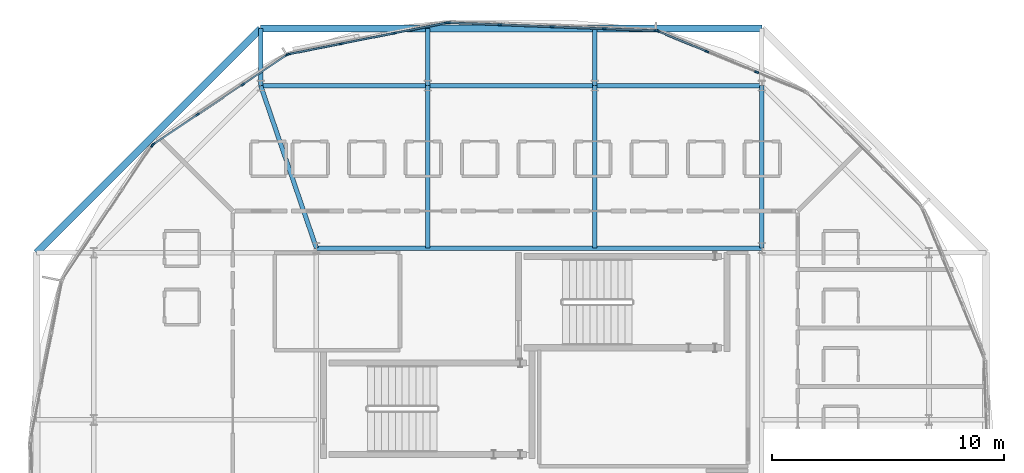
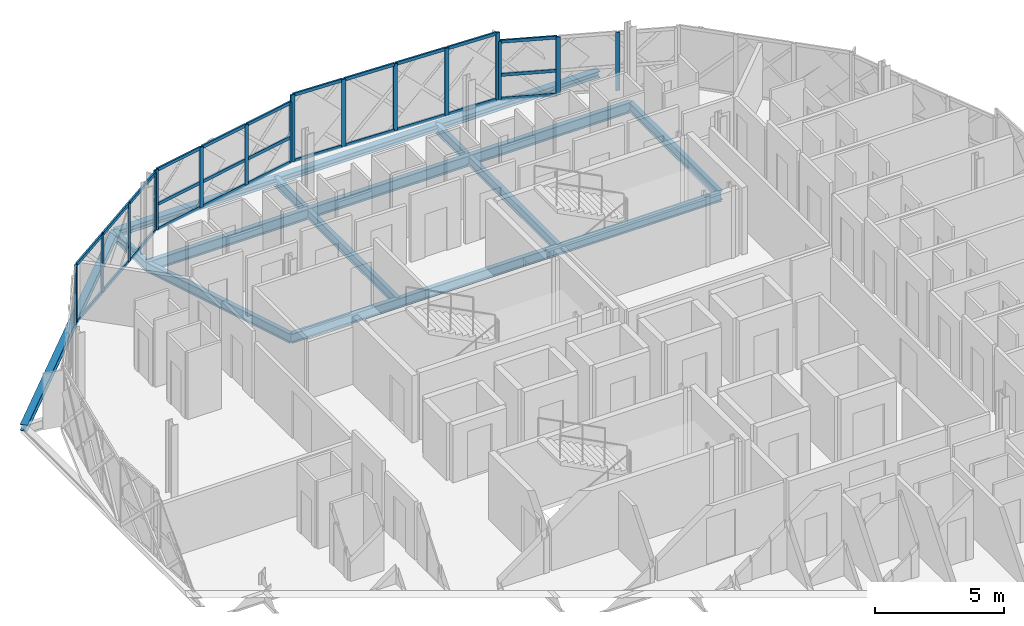
# One storey, part 9 of 24: 43 members, 15 beams, 5 elements without a shape of their own.
"""IFC4 building model written with IfcOpenShell, lengths in metres."""

from ifc_helpers import new_model, si_unit, direction, frame, origin, origin_2d, place, context, subcontext, project, spatial, rectangle, i_section, extrude, material, layer, layer_set, material_profile, profile_set, type_object, element, aggregate, save


model = new_model("IFC4")

# Units and contexts
model_context = context("Model", 3, precision=1e-05, world=origin(), true_north=direction((0.0, 1.0)))
body_context = subcontext(model_context, "Body", "Model", "MODEL_VIEW")
ifc_project = project(units=[si_unit("LENGTHUNIT", "METRE"), si_unit("AREAUNIT", "SQUARE_METRE"), si_unit("VOLUMEUNIT", "CUBIC_METRE"), si_unit("PLANEANGLEUNIT", "RADIAN"), si_unit("MASSUNIT", "GRAM", prefix="KILO")], contexts=[model_context])

# Site, building, storey
site_placement = place(None, origin())
site = spatial("IfcSite", under=ifc_project, at=site_placement, CompositionType="ELEMENT")
building_placement = place(site_placement, origin())
building = spatial("IfcBuilding", under=site, at=building_placement, Name="Zevrakil Square Congress Hotel", CompositionType="ELEMENT")
storey_placement = place(building_placement, frame((0.0, 0.0, 31.699951171875)))
storey = spatial("IfcBuildingStorey", under=building, at=storey_placement, Name="L09", CompositionType="ELEMENT", Elevation=31.699951171875)

# Beams
ifc_material_1 = material(Name="Steel S355", Category="steel")
ifc_material_profile_1 = material_profile(ifc_material_1, i_section(OverallWidth=0.18994140625, OverallDepth=0.449951171875, WebThickness=0.009521484375, FlangeThickness=0.0146484375, FilletRadius=0.02099609375, at=origin_2d()), Name="IPE 450")
ifc_profile_set_1 = profile_set([ifc_material_profile_1], Name="Steel S355")
beam_type_1 = type_object("IfcBeamType", Name="BM-IPE450", PredefinedType="BEAM", material=ifc_profile_set_1)
beam_1_placement = place(storey_placement, frame((156.0, 38.60009765625, -0.449951171875), z_axis=(-1.0, 0.0, 0.0), x_axis=(0.0, -1.0, 0.0)))
element("IfcBeam", 1, at=beam_1_placement, inside=storey, type_object=beam_type_1, Name="L09 drum core perimeter tie beam DCB-03", PredefinedType="BEAM", context=body_context, shape_type="SweptSolid", body=[
    extrude(i_section(OverallWidth=0.18994140625, OverallDepth=0.449951171875, WebThickness=0.009521484375, FlangeThickness=0.0146484375, FilletRadius=0.02099609375, at=origin_2d()), origin(), (0.0, 0.0, 1.0), 19.199951171875),
])
for number, where, z_axis, x_axis, name in (
    (2, (156.0, 38.60009765625, -0.449951171875), (0.0, 1.0, 0.0), (-1.0, 0.0, 0.0), "L09 drum radial floor beam DRI-09"),
    (3, (148.800048828125, 38.60009765625, -0.449951171875), (0.0, 1.0, 0.0), (-1.0, 0.0, 0.0), "L09 drum radial floor beam DRI-10"),
):
    element("IfcBeam", number, at=place(storey_placement, frame(where, z_axis=z_axis, x_axis=x_axis)), inside=storey, type_object=beam_type_1, Name=name, PredefinedType="BEAM", context=body_context, shape_type="SweptSolid", body=[
        extrude(i_section(OverallWidth=0.18994140625, OverallDepth=0.449951171875, WebThickness=0.009521484375, FlangeThickness=0.0146484375, FilletRadius=0.02099609375, at=origin_2d()), origin(), (0.0, 0.0, 1.0), 7.0),
    ])
beam_2_placement = place(storey_placement, frame((148.800048828125, 45.60009765625, -0.449951171875), z_axis=(0.0, 1.0, 0.0), x_axis=(-1.0, 0.0, 0.0)))
element("IfcBeam", 4, at=beam_2_placement, inside=storey, type_object=beam_type_1, Name="L09 drum radial edge cantilever beam DRO-10", PredefinedType="BEAM", context=body_context, shape_type="SweptSolid", body=[
    extrude(i_section(OverallWidth=0.18994140625, OverallDepth=0.449951171875, WebThickness=0.009521484375, FlangeThickness=0.0146484375, FilletRadius=0.02099609375, at=origin_2d()), origin(), (0.0, 0.0, 1.0), 2.454833984375),
])
beam_3_placement = place(storey_placement, frame((141.60009765625, 38.60009765625, -0.449951171875), z_axis=(0.0, 1.0, 0.0), x_axis=(-1.0, 0.0, 0.0)))
element("IfcBeam", 5, at=beam_3_placement, inside=storey, type_object=beam_type_1, Name="L09 drum radial floor beam DRI-11", PredefinedType="BEAM", context=body_context, shape_type="SweptSolid", body=[
    extrude(i_section(OverallWidth=0.18994140625, OverallDepth=0.449951171875, WebThickness=0.009521484375, FlangeThickness=0.0146484375, FilletRadius=0.02099609375, at=origin_2d()), origin(), (0.0, 0.0, 1.0), 7.0),
])
beam_4_placement = place(storey_placement, frame((141.60009765625, 45.60009765625, -0.449951171875), z_axis=(0.0, 1.0, 0.0), x_axis=(-1.0, 0.0, 0.0)))
element("IfcBeam", 6, at=beam_4_placement, inside=storey, type_object=beam_type_1, Name="L09 drum radial edge cantilever beam DRO-11", PredefinedType="BEAM", context=body_context, shape_type="SweptSolid", body=[
    extrude(i_section(OverallWidth=0.18994140625, OverallDepth=0.449951171875, WebThickness=0.009521484375, FlangeThickness=0.0146484375, FilletRadius=0.02099609375, at=origin_2d()), origin(), (0.0, 0.0, 1.0), 2.454833984375),
])
beam_5_placement = place(storey_placement, frame((136.800048828125, 38.60009765625, -0.449951171875), z_axis=(-0.324342037158, 0.945939872789, 0.0), x_axis=(-0.945939872789, -0.324342037158, 0.0)))
element("IfcBeam", 7, at=beam_5_placement, inside=storey, type_object=beam_type_1, Name="L09 drum radial floor beam DRI-12", PredefinedType="BEAM", context=body_context, shape_type="SweptSolid", body=[
    extrude(i_section(OverallWidth=0.18994140625, OverallDepth=0.449951171875, WebThickness=0.009521484375, FlangeThickness=0.0146484375, FilletRadius=0.02099609375, at=origin_2d()), origin(), (0.0, 0.0, 1.0), 7.400146484375),
])
beam_6_placement = place(storey_placement, frame((134.39990234375, 45.60009765625, -0.449951171875), z_axis=(0.0, 1.0, 0.0), x_axis=(-1.0, 0.0, 0.0)))
element("IfcBeam", 8, at=beam_6_placement, inside=storey, type_object=beam_type_1, Name="L09 drum radial edge cantilever beam DRO-12", PredefinedType="BEAM", context=body_context, shape_type="SweptSolid", body=[
    extrude(i_section(OverallWidth=0.18994140625, OverallDepth=0.449951171875, WebThickness=0.009521484375, FlangeThickness=0.0146484375, FilletRadius=0.02099609375, at=origin_2d()), origin(), (0.0, 0.0, 1.0), 2.454833984375),
])
ifc_material_2 = material(Name="Steel S355", Category="steel")
ifc_material_profile_2 = material_profile(ifc_material_2, i_section(OverallWidth=0.199951171875, OverallDepth=0.5, WebThickness=0.01025390625, FlangeThickness=0.01611328125, FilletRadius=0.02099609375, at=origin_2d()), Name="IPE 500")
ifc_profile_set_2 = profile_set([ifc_material_profile_2], Name="Steel S355")
beam_type_2 = type_object("IfcBeamType", Name="BM-IPE500", PredefinedType="BEAM", material=ifc_profile_set_2)
for number, where, z_axis, x_axis, name in (
    (9, (156.0, 45.60009765625, -0.474853515625), (-1.0, 0.0, 0.0), (0.0, -1.0, 0.0), "L09 drum ring girder DRB-09"),
    (10, (148.800048828125, 45.60009765625, -0.474853515625), (-1.0, 0.0, 0.0), (0.0, -1.0, 0.0), "L09 drum ring girder DRB-10"),
):
    element("IfcBeam", number, at=place(storey_placement, frame(where, z_axis=z_axis, x_axis=x_axis)), inside=storey, type_object=beam_type_2, Name=name, PredefinedType="BEAM", context=body_context, shape_type="SweptSolid", body=[
        extrude(i_section(OverallWidth=0.199951171875, OverallDepth=0.5, WebThickness=0.01025390625, FlangeThickness=0.01611328125, FilletRadius=0.02099609375, at=origin_2d()), origin(), (0.0, 0.0, 1.0), 7.199951171875),
    ])
beam_7_placement = place(storey_placement, frame((141.60009765625, 45.60009765625, -0.474853515625), z_axis=(-1.0, 0.0, 0.0), x_axis=(0.0, -1.0, 0.0)))
element("IfcBeam", 11, at=beam_7_placement, inside=storey, type_object=beam_type_2, Name="L09 drum ring girder DRB-11", PredefinedType="BEAM", context=body_context, shape_type="SweptSolid", body=[
    extrude(i_section(OverallWidth=0.199951171875, OverallDepth=0.5, WebThickness=0.01025390625, FlangeThickness=0.01611328125, FilletRadius=0.02099609375, at=origin_2d()), origin(), (0.0, 0.0, 1.0), 7.2001953125),
])

# Curtain wall, members
ifc_material_3 = material(Name="Aluminium Anodised Bronze", Category="aluminium")
ifc_layer_1 = layer(ifc_material_3, 0.179931640625)
ifc_layer_set_1 = layer_set([ifc_layer_1], Name="Aluminium Anodised Bronze")
curtain_wall_type_1 = type_object("IfcCurtainWallType", Name="CW-L09-720", PredefinedType="USERDEFINED", material=ifc_layer_set_1)
curtain_wall_1_placement = place(storey_placement, origin())
curtain_wall_1 = element("IfcCurtainWall", 12, at=curtain_wall_1_placement, inside=storey, type_object=curtain_wall_type_1, Name="L09 diamond curtain wall CW-L09-0260", ObjectType="GLAZED CURTAIN WALL", PredefinedType="USERDEFINED")
ifc_material_4 = material(Name="Aluminium Anodised Bronze", Category="aluminium")
ifc_material_profile_3 = material_profile(ifc_material_4, rectangle(XDim=0.074951171875, YDim=0.14990234375, at=origin_2d()), Name="ALU 75x150")
ifc_profile_set_3 = profile_set([ifc_material_profile_3], Name="Aluminium Anodised Bronze")
member_type_1 = type_object("IfcMemberType", Name="CWM-ALU75x150", PredefinedType="USERDEFINED", material=ifc_profile_set_3)
member_1_placement = place(storey_placement, frame((153.592529296875, 47.087890625, 0.030029296875), z_axis=(-0.923885623343, 0.382668727465, 0.0), x_axis=(-0.382668727465, -0.923885623343, 0.0)))
member_1 = element("IfcMember", 13, at=member_1_placement, type_object=member_type_1, Name="CW-106 transom 3.1", ObjectType="TRANSOM", PredefinedType="USERDEFINED", context=body_context, shape_type="SweptSolid", body=[
    extrude(rectangle(XDim=0.074951171875, YDim=0.14990234375, at=origin_2d()), origin(), (0.0, 0.0, 1.0), 2.2451171875),
])
member_2_placement = place(storey_placement, frame((153.592529296875, 47.087890625, 1.1572265625), z_axis=(-0.923885623343, 0.382668727465, 0.0), x_axis=(-0.382668727465, -0.923885623343, 0.0)))
member_2 = element("IfcMember", 14, at=member_2_placement, type_object=member_type_1, Name="CW-106 transom 3.2", ObjectType="TRANSOM", PredefinedType="USERDEFINED", context=body_context, shape_type="SweptSolid", body=[
    extrude(rectangle(XDim=0.074951171875, YDim=0.14990234375, at=origin_2d()), origin(), (0.0, 0.0, 1.0), 2.2451171875),
])
member_3_placement = place(storey_placement, frame((153.592529296875, 47.087890625, 2.72509765625), z_axis=(-0.923885623343, 0.382668727465, 0.0), x_axis=(-0.382668727465, -0.923885623343, 0.0)))
member_3 = element("IfcMember", 15, at=member_3_placement, type_object=member_type_1, Name="CW-106 transom 3.3", ObjectType="TRANSOM", PredefinedType="USERDEFINED", context=body_context, shape_type="SweptSolid", body=[
    extrude(rectangle(XDim=0.074951171875, YDim=0.14990234375, at=origin_2d()), origin(), (0.0, 0.0, 1.0), 2.2451171875),
])

ifc_material_5 = material(Name="Aluminium Anodised Bronze", Category="aluminium")
ifc_layer_2 = layer(ifc_material_5, 0.179931640625)
ifc_layer_set_2 = layer_set([ifc_layer_2], Name="Aluminium Anodised Bronze")
curtain_wall_type_2 = type_object("IfcCurtainWallType", Name="CW-L09-900", PredefinedType="USERDEFINED", material=ifc_layer_set_2)
curtain_wall_2_placement = place(storey_placement, origin())
curtain_wall_2 = element("IfcCurtainWall", 16, at=curtain_wall_2_placement, inside=storey, type_object=curtain_wall_type_2, Name="L09 diamond curtain wall CW-L09-0261", ObjectType="GLAZED CURTAIN WALL", PredefinedType="USERDEFINED")
member_4_placement = place(storey_placement, frame((151.40283203125, 47.972412109375, 0.030029296875), z_axis=(-0.999270628319, 0.038186533987, 0.0), x_axis=(-0.038186533987, -0.999270628319, 0.0)))
member_4 = element("IfcMember", 17, at=member_4_placement, type_object=member_type_1, Name="CW-108 transom 1.1", ObjectType="TRANSOM", PredefinedType="USERDEFINED", context=body_context, shape_type="SweptSolid", body=[
    extrude(rectangle(XDim=0.074951171875, YDim=0.14990234375, at=origin_2d()), origin(), (0.0, 0.0, 1.0), 2.167236328125),
])
member_5_placement = place(storey_placement, frame((151.40283203125, 47.972412109375, 3.14013671875), z_axis=(-0.999270628319, 0.038186533987, 0.0), x_axis=(-0.038186533987, -0.999270628319, 0.0)))
member_5 = element("IfcMember", 18, at=member_5_placement, type_object=member_type_1, Name="CW-108 transom 1.2", ObjectType="TRANSOM", PredefinedType="USERDEFINED", context=body_context, shape_type="SweptSolid", body=[
    extrude(rectangle(XDim=0.074951171875, YDim=0.14990234375, at=origin_2d()), origin(), (0.0, 0.0, 1.0), 2.167236328125),
])
member_6_placement = place(storey_placement, frame((149.177001953125, 48.057373046875, 0.030029296875), z_axis=(-0.999269195147, 0.038224019029, 0.0), x_axis=(-0.038224019029, -0.999269195147, 0.0)))
member_6 = element("IfcMember", 19, at=member_6_placement, type_object=member_type_1, Name="CW-108 transom 2.1", ObjectType="TRANSOM", PredefinedType="USERDEFINED", context=body_context, shape_type="SweptSolid", body=[
    extrude(rectangle(XDim=0.074951171875, YDim=0.14990234375, at=origin_2d()), origin(), (0.0, 0.0, 1.0), 2.197265625),
])
member_7_placement = place(storey_placement, frame((149.177001953125, 48.057373046875, 3.14013671875), z_axis=(-0.999269195147, 0.038224019029, 0.0), x_axis=(-0.038224019029, -0.999269195147, 0.0)))
member_7 = element("IfcMember", 20, at=member_7_placement, type_object=member_type_1, Name="CW-108 transom 2.2", ObjectType="TRANSOM", PredefinedType="USERDEFINED", context=body_context, shape_type="SweptSolid", body=[
    extrude(rectangle(XDim=0.074951171875, YDim=0.14990234375, at=origin_2d()), origin(), (0.0, 0.0, 1.0), 2.197265625),
])
member_8_placement = place(storey_placement, frame((146.92138671875, 48.1435546875, 0.030029296875), z_axis=(-0.999269357469, 0.038219775291, 0.0), x_axis=(-0.038219775291, -0.999269357469, 0.0)))
member_8 = element("IfcMember", 21, at=member_8_placement, type_object=member_type_1, Name="CW-108 transom 3.1", ObjectType="TRANSOM", PredefinedType="USERDEFINED", context=body_context, shape_type="SweptSolid", body=[
    extrude(rectangle(XDim=0.074951171875, YDim=0.14990234375, at=origin_2d()), origin(), (0.0, 0.0, 1.0), 2.197509765625),
])
member_9_placement = place(storey_placement, frame((146.92138671875, 48.1435546875, 3.14013671875), z_axis=(-0.999269357469, 0.038219775291, 0.0), x_axis=(-0.038219775291, -0.999269357469, 0.0)))
member_9 = element("IfcMember", 22, at=member_9_placement, type_object=member_type_1, Name="CW-108 transom 3.2", ObjectType="TRANSOM", PredefinedType="USERDEFINED", context=body_context, shape_type="SweptSolid", body=[
    extrude(rectangle(XDim=0.074951171875, YDim=0.14990234375, at=origin_2d()), origin(), (0.0, 0.0, 1.0), 2.197509765625),
])
member_10_placement = place(storey_placement, frame((144.665771484375, 48.22998046875, 0.030029296875), z_axis=(-0.999270628319, 0.038186533987, 0.0), x_axis=(-0.038186533987, -0.999270628319, 0.0)))
member_10 = element("IfcMember", 23, at=member_10_placement, type_object=member_type_1, Name="CW-108 transom 4.1", ObjectType="TRANSOM", PredefinedType="USERDEFINED", context=body_context, shape_type="SweptSolid", body=[
    extrude(rectangle(XDim=0.074951171875, YDim=0.14990234375, at=origin_2d()), origin(), (0.0, 0.0, 1.0), 2.167236328125),
])
member_11_placement = place(storey_placement, frame((144.665771484375, 48.22998046875, 3.14013671875), z_axis=(-0.999270628319, 0.038186533987, 0.0), x_axis=(-0.038186533987, -0.999270628319, 0.0)))
member_11 = element("IfcMember", 24, at=member_11_placement, type_object=member_type_1, Name="CW-108 transom 4.2", ObjectType="TRANSOM", PredefinedType="USERDEFINED", context=body_context, shape_type="SweptSolid", body=[
    extrude(rectangle(XDim=0.074951171875, YDim=0.14990234375, at=origin_2d()), origin(), (0.0, 0.0, 1.0), 2.167236328125),
])

curtain_wall_3_placement = place(storey_placement, origin())
curtain_wall_3 = element("IfcCurtainWall", 25, at=curtain_wall_3_placement, inside=storey, type_object=curtain_wall_type_1, Name="L09 diamond curtain wall CW-L09-0262", ObjectType="GLAZED CURTAIN WALL", PredefinedType="USERDEFINED")
member_12_placement = place(storey_placement, frame((142.381103515625, 48.30322265625, 0.030029296875), z_axis=(-0.98078922397, -0.195070495322, 0.0), x_axis=(0.195070495322, -0.98078922397, 0.0)))
member_12 = element("IfcMember", 26, at=member_12_placement, type_object=member_type_1, Name="CW-106 transom 1.1", ObjectType="TRANSOM", PredefinedType="USERDEFINED", context=body_context, shape_type="SweptSolid", body=[
    extrude(rectangle(XDim=0.074951171875, YDim=0.14990234375, at=origin_2d()), origin(), (0.0, 0.0, 1.0), 2.245361328125),
])
member_13_placement = place(storey_placement, frame((142.381103515625, 48.30322265625, 1.19921875), z_axis=(-0.98078922397, -0.195070495322, 0.0), x_axis=(0.195070495322, -0.98078922397, 0.0)))
member_13 = element("IfcMember", 27, at=member_13_placement, type_object=member_type_1, Name="CW-106 transom 1.2", ObjectType="TRANSOM", PredefinedType="USERDEFINED", context=body_context, shape_type="SweptSolid", body=[
    extrude(rectangle(XDim=0.074951171875, YDim=0.14990234375, at=origin_2d()), origin(), (0.0, 0.0, 1.0), 2.245361328125),
])
member_14_placement = place(storey_placement, frame((142.381103515625, 48.30322265625, 2.824951171875), z_axis=(-0.98078922397, -0.195070495322, 0.0), x_axis=(0.195070495322, -0.98078922397, 0.0)))
member_14 = element("IfcMember", 28, at=member_14_placement, type_object=member_type_1, Name="CW-106 transom 1.3", ObjectType="TRANSOM", PredefinedType="USERDEFINED", context=body_context, shape_type="SweptSolid", body=[
    extrude(rectangle(XDim=0.074951171875, YDim=0.14990234375, at=origin_2d()), origin(), (0.0, 0.0, 1.0), 2.245361328125),
])
member_15_placement = place(storey_placement, frame((140.1201171875, 47.853515625, 0.030029296875), z_axis=(-0.980786492568, -0.195084227953, 0.0), x_axis=(0.195084227953, -0.980786492568, 0.0)))
member_15 = element("IfcMember", 29, at=member_15_placement, type_object=member_type_1, Name="CW-106 transom 2.1", ObjectType="TRANSOM", PredefinedType="USERDEFINED", context=body_context, shape_type="SweptSolid", body=[
    extrude(rectangle(XDim=0.074951171875, YDim=0.14990234375, at=origin_2d()), origin(), (0.0, 0.0, 1.0), 2.275146484375),
])
member_16_placement = place(storey_placement, frame((140.1201171875, 47.853515625, 1.19921875), z_axis=(-0.980786492568, -0.195084227953, 0.0), x_axis=(0.195084227953, -0.980786492568, 0.0)))
member_16 = element("IfcMember", 30, at=member_16_placement, type_object=member_type_1, Name="CW-106 transom 2.2", ObjectType="TRANSOM", PredefinedType="USERDEFINED", context=body_context, shape_type="SweptSolid", body=[
    extrude(rectangle(XDim=0.074951171875, YDim=0.14990234375, at=origin_2d()), origin(), (0.0, 0.0, 1.0), 2.275146484375),
])
member_17_placement = place(storey_placement, frame((140.1201171875, 47.853515625, 2.824951171875), z_axis=(-0.980786492568, -0.195084227953, 0.0), x_axis=(0.195084227953, -0.980786492568, 0.0)))
member_17 = element("IfcMember", 31, at=member_17_placement, type_object=member_type_1, Name="CW-106 transom 2.3", ObjectType="TRANSOM", PredefinedType="USERDEFINED", context=body_context, shape_type="SweptSolid", body=[
    extrude(rectangle(XDim=0.074951171875, YDim=0.14990234375, at=origin_2d()), origin(), (0.0, 0.0, 1.0), 2.275146484375),
])
member_18_placement = place(storey_placement, frame((137.829833984375, 47.39794921875, 0.030029296875), z_axis=(-0.98078922397, -0.195070495322, 0.0), x_axis=(0.195070495322, -0.98078922397, 0.0)))
member_18 = element("IfcMember", 32, at=member_18_placement, type_object=member_type_1, Name="CW-106 transom 3.1", ObjectType="TRANSOM", PredefinedType="USERDEFINED", context=body_context, shape_type="SweptSolid", body=[
    extrude(rectangle(XDim=0.074951171875, YDim=0.14990234375, at=origin_2d()), origin(), (0.0, 0.0, 1.0), 2.245361328125),
])
member_19_placement = place(storey_placement, frame((137.829833984375, 47.39794921875, 1.19921875), z_axis=(-0.98078922397, -0.195070495322, 0.0), x_axis=(0.195070495322, -0.98078922397, 0.0)))
member_19 = element("IfcMember", 33, at=member_19_placement, type_object=member_type_1, Name="CW-106 transom 3.2", ObjectType="TRANSOM", PredefinedType="USERDEFINED", context=body_context, shape_type="SweptSolid", body=[
    extrude(rectangle(XDim=0.074951171875, YDim=0.14990234375, at=origin_2d()), origin(), (0.0, 0.0, 1.0), 2.245361328125),
])
member_20_placement = place(storey_placement, frame((137.829833984375, 47.39794921875, 2.824951171875), z_axis=(-0.98078922397, -0.195070495322, 0.0), x_axis=(0.195070495322, -0.98078922397, 0.0)))
member_20 = element("IfcMember", 34, at=member_20_placement, type_object=member_type_1, Name="CW-106 transom 3.3", ObjectType="TRANSOM", PredefinedType="USERDEFINED", context=body_context, shape_type="SweptSolid", body=[
    extrude(rectangle(XDim=0.074951171875, YDim=0.14990234375, at=origin_2d()), origin(), (0.0, 0.0, 1.0), 2.245361328125),
])

curtain_wall_4_placement = place(storey_placement, origin())
curtain_wall_4 = element("IfcCurtainWall", 35, at=curtain_wall_4_placement, inside=storey, type_object=curtain_wall_type_1, Name="L09 diamond curtain wall CW-L09-0263", ObjectType="GLAZED CURTAIN WALL", PredefinedType="USERDEFINED")
member_21_placement = place(storey_placement, frame((135.51904296875, 46.9150390625, 0.030029296875), z_axis=(-0.831447614853, -0.555603153119, 0.0), x_axis=(0.555603153119, -0.831447614853, 0.0)))
member_21 = element("IfcMember", 36, at=member_21_placement, type_object=member_type_1, Name="CW-106 transom 1.1", ObjectType="TRANSOM", PredefinedType="USERDEFINED", context=body_context, shape_type="SweptSolid", body=[
    extrude(rectangle(XDim=0.074951171875, YDim=0.14990234375, at=origin_2d()), origin(), (0.0, 0.0, 1.0), 2.245361328125),
])
member_22_placement = place(storey_placement, frame((135.51904296875, 46.9150390625, 2.72509765625), z_axis=(-0.831447614853, -0.555603153119, 0.0), x_axis=(0.555603153119, -0.831447614853, 0.0)))
member_22 = element("IfcMember", 37, at=member_22_placement, type_object=member_type_1, Name="CW-106 transom 1.2", ObjectType="TRANSOM", PredefinedType="USERDEFINED", context=body_context, shape_type="SweptSolid", body=[
    extrude(rectangle(XDim=0.074951171875, YDim=0.14990234375, at=origin_2d()), origin(), (0.0, 0.0, 1.0), 2.245361328125),
])
member_23_placement = place(storey_placement, frame((133.602294921875, 45.63427734375, 0.030029296875), z_axis=(-0.831455548606, -0.555591280253, 0.0), x_axis=(0.555591280253, -0.831455548606, 0.0)))
member_23 = element("IfcMember", 38, at=member_23_placement, type_object=member_type_1, Name="CW-106 transom 2.1", ObjectType="TRANSOM", PredefinedType="USERDEFINED", context=body_context, shape_type="SweptSolid", body=[
    extrude(rectangle(XDim=0.074951171875, YDim=0.14990234375, at=origin_2d()), origin(), (0.0, 0.0, 1.0), 2.275390625),
])
member_24_placement = place(storey_placement, frame((133.602294921875, 45.63427734375, 2.72509765625), z_axis=(-0.831455548606, -0.555591280253, 0.0), x_axis=(0.555591280253, -0.831455548606, 0.0)))
member_24 = element("IfcMember", 39, at=member_24_placement, type_object=member_type_1, Name="CW-106 transom 2.2", ObjectType="TRANSOM", PredefinedType="USERDEFINED", context=body_context, shape_type="SweptSolid", body=[
    extrude(rectangle(XDim=0.074951171875, YDim=0.14990234375, at=origin_2d()), origin(), (0.0, 0.0, 1.0), 2.275390625),
])
member_25_placement = place(storey_placement, frame((131.66064453125, 44.3369140625, 0.030029296875), z_axis=(-0.831447614853, -0.555603153119, 0.0), x_axis=(0.555603153119, -0.831447614853, 0.0)))
member_25 = element("IfcMember", 40, at=member_25_placement, type_object=member_type_1, Name="CW-106 transom 3.1", ObjectType="TRANSOM", PredefinedType="USERDEFINED", context=body_context, shape_type="SweptSolid", body=[
    extrude(rectangle(XDim=0.074951171875, YDim=0.14990234375, at=origin_2d()), origin(), (0.0, 0.0, 1.0), 2.245361328125),
])
member_26_placement = place(storey_placement, frame((131.66064453125, 44.3369140625, 2.72509765625), z_axis=(-0.831447614853, -0.555603153119, 0.0), x_axis=(0.555603153119, -0.831447614853, 0.0)))
member_26 = element("IfcMember", 41, at=member_26_placement, type_object=member_type_1, Name="CW-106 transom 3.2", ObjectType="TRANSOM", PredefinedType="USERDEFINED", context=body_context, shape_type="SweptSolid", body=[
    extrude(rectangle(XDim=0.074951171875, YDim=0.14990234375, at=origin_2d()), origin(), (0.0, 0.0, 1.0), 2.245361328125),
])

# Member
ifc_material_6 = material(Name="Aluminium Anodised Bronze", Category="aluminium")
ifc_material_profile_4 = material_profile(ifc_material_6, rectangle(XDim=0.074951171875, YDim=0.179931640625, at=origin_2d()), Name="ALU 75x180")
ifc_profile_set_4 = profile_set([ifc_material_profile_4], Name="Aluminium Anodised Bronze")
member_type_2 = type_object("IfcMemberType", Name="CWM-ALU75x180", PredefinedType="MULLION", material=ifc_profile_set_4)
member_27_placement = place(storey_placement, frame((155.77783203125, 46.1826171875, 0.0), z_axis=(0.0, 0.0, 1.0), x_axis=(-0.382683763454, -0.92387939537, 0.0)))
member_27 = element("IfcMember", 42, at=member_27_placement, type_object=member_type_2, Name="CW-106 mullion 2", PredefinedType="MULLION", context=body_context, shape_type="SweptSolid", body=[
    extrude(rectangle(XDim=0.074951171875, YDim=0.179931640625, at=origin_2d()), origin(), (0.0, 0.0, 1.0), 2.755126953125),
])

member_28_placement = place(storey_placement, frame((153.620361328125, 47.076416015625, 0.0), z_axis=(0.0, 0.0, 1.0), x_axis=(-0.382683763454, -0.92387939537, 0.0)))
member_28 = element("IfcMember", 43, at=member_28_placement, type_object=member_type_2, Name="CW-106 mullion 3", PredefinedType="MULLION", context=body_context, shape_type="SweptSolid", body=[
    extrude(rectangle(XDim=0.074951171875, YDim=0.179931640625, at=origin_2d()), origin(), (0.0, 0.0, 1.0), 2.755126953125),
])

member_29_placement = place(storey_placement, frame((151.490478515625, 47.95849609375, 0.0), z_axis=(0.0, 0.0, 1.0), x_axis=(-0.382683763454, -0.92387939537, 0.0)))
member_29 = element("IfcMember", 44, at=member_29_placement, type_object=member_type_2, Name="CW-106 mullion 4", PredefinedType="MULLION", context=body_context, shape_type="SweptSolid", body=[
    extrude(rectangle(XDim=0.074951171875, YDim=0.179931640625, at=origin_2d()), origin(), (0.0, 0.0, 1.0), 2.755126953125),
])

aggregate(curtain_wall_1, [member_27, member_28, member_29, member_1, member_2, member_3])

member_30_placement = place(storey_placement, frame((151.432861328125, 47.97119140625, 0.0), z_axis=(0.0, 0.0, 1.0), x_axis=(-0.03820854684, -0.999269786869, 0.0)))
member_30 = element("IfcMember", 45, at=member_30_placement, type_object=member_type_2, Name="CW-108 mullion 1", PredefinedType="MULLION", context=body_context, shape_type="SweptSolid", body=[
    extrude(rectangle(XDim=0.074951171875, YDim=0.179931640625, at=origin_2d()), origin(), (0.0, 0.0, 1.0), 3.170166015625),
])

member_31_placement = place(storey_placement, frame((149.20703125, 48.05615234375, 0.0), z_axis=(0.0, 0.0, 1.0), x_axis=(-0.03820854684, -0.999269786869, 0.0)))
member_31 = element("IfcMember", 46, at=member_31_placement, type_object=member_type_2, Name="CW-108 mullion 2", PredefinedType="MULLION", context=body_context, shape_type="SweptSolid", body=[
    extrude(rectangle(XDim=0.074951171875, YDim=0.179931640625, at=origin_2d()), origin(), (0.0, 0.0, 1.0), 3.170166015625),
])

member_32_placement = place(storey_placement, frame((146.951416015625, 48.142578125, 0.0), z_axis=(0.0, 0.0, 1.0), x_axis=(-0.03820854684, -0.999269786869, 0.0)))
member_32 = element("IfcMember", 47, at=member_32_placement, type_object=member_type_2, Name="CW-108 mullion 3", PredefinedType="MULLION", context=body_context, shape_type="SweptSolid", body=[
    extrude(rectangle(XDim=0.074951171875, YDim=0.179931640625, at=origin_2d()), origin(), (0.0, 0.0, 1.0), 3.170166015625),
])

member_33_placement = place(storey_placement, frame((144.69580078125, 48.228759765625, 0.0), z_axis=(0.0, 0.0, 1.0), x_axis=(-0.03820854684, -0.999269786869, 0.0)))
member_33 = element("IfcMember", 48, at=member_33_placement, type_object=member_type_2, Name="CW-108 mullion 4", PredefinedType="MULLION", context=body_context, shape_type="SweptSolid", body=[
    extrude(rectangle(XDim=0.074951171875, YDim=0.179931640625, at=origin_2d()), origin(), (0.0, 0.0, 1.0), 3.170166015625),
])

member_34_placement = place(storey_placement, frame((142.469970703125, 48.31396484375, 0.0), z_axis=(0.0, 0.0, 1.0), x_axis=(-0.03820854684, -0.999269786869, 0.0)))
member_34 = element("IfcMember", 49, at=member_34_placement, type_object=member_type_2, Name="CW-108 mullion 5", PredefinedType="MULLION", context=body_context, shape_type="SweptSolid", body=[
    extrude(rectangle(XDim=0.074951171875, YDim=0.179931640625, at=origin_2d()), origin(), (0.0, 0.0, 1.0), 3.170166015625),
])

aggregate(curtain_wall_2, [member_30, member_31, member_32, member_33, member_34, member_4, member_5, member_6, member_7, member_8, member_9, member_10, member_11])

member_35_placement = place(storey_placement, frame((142.41064453125, 48.30908203125, 0.0), z_axis=(0.0, 0.0, 1.0), x_axis=(0.195083900459, -0.980786557708, 0.0)))
member_35 = element("IfcMember", 50, at=member_35_placement, type_object=member_type_2, Name="CW-106 mullion 1", PredefinedType="MULLION", context=body_context, shape_type="SweptSolid", body=[
    extrude(rectangle(XDim=0.074951171875, YDim=0.179931640625, at=origin_2d()), origin(), (0.0, 0.0, 1.0), 2.85498046875),
])

member_36_placement = place(storey_placement, frame((140.149658203125, 47.859375, 0.0), z_axis=(0.0, 0.0, 1.0), x_axis=(0.195083900459, -0.980786557708, 0.0)))
member_36 = element("IfcMember", 51, at=member_36_placement, type_object=member_type_2, Name="CW-106 mullion 2", PredefinedType="MULLION", context=body_context, shape_type="SweptSolid", body=[
    extrude(rectangle(XDim=0.074951171875, YDim=0.179931640625, at=origin_2d()), origin(), (0.0, 0.0, 1.0), 2.85498046875),
])

member_37_placement = place(storey_placement, frame((137.859375, 47.40380859375, 0.0), z_axis=(0.0, 0.0, 1.0), x_axis=(0.195083900459, -0.980786557708, 0.0)))
member_37 = element("IfcMember", 52, at=member_37_placement, type_object=member_type_2, Name="CW-106 mullion 3", PredefinedType="MULLION", context=body_context, shape_type="SweptSolid", body=[
    extrude(rectangle(XDim=0.074951171875, YDim=0.179931640625, at=origin_2d()), origin(), (0.0, 0.0, 1.0), 2.85498046875),
])

member_38_placement = place(storey_placement, frame((135.598388671875, 46.9541015625, 0.0), z_axis=(0.0, 0.0, 1.0), x_axis=(0.195083900459, -0.980786557708, 0.0)))
member_38 = element("IfcMember", 53, at=member_38_placement, type_object=member_type_2, Name="CW-106 mullion 4", PredefinedType="MULLION", context=body_context, shape_type="SweptSolid", body=[
    extrude(rectangle(XDim=0.074951171875, YDim=0.179931640625, at=origin_2d()), origin(), (0.0, 0.0, 1.0), 2.85498046875),
])

aggregate(curtain_wall_3, [member_35, member_36, member_37, member_38, member_12, member_13, member_14, member_15, member_16, member_17, member_18, member_19, member_20])

member_39_placement = place(storey_placement, frame((135.5439453125, 46.931640625, 0.0), z_axis=(0.0, 0.0, 1.0), x_axis=(0.555576098128, -0.831465693332, 0.0)))
member_39 = element("IfcMember", 54, at=member_39_placement, type_object=member_type_2, Name="CW-106 mullion 1", PredefinedType="MULLION", context=body_context, shape_type="SweptSolid", body=[
    extrude(rectangle(XDim=0.074951171875, YDim=0.179931640625, at=origin_2d()), origin(), (0.0, 0.0, 1.0), 2.755126953125),
])

member_40_placement = place(storey_placement, frame((133.627197265625, 45.65087890625, 0.0), z_axis=(0.0, 0.0, 1.0), x_axis=(0.555576098128, -0.831465693332, 0.0)))
member_40 = element("IfcMember", 55, at=member_40_placement, type_object=member_type_2, Name="CW-106 mullion 2", PredefinedType="MULLION", context=body_context, shape_type="SweptSolid", body=[
    extrude(rectangle(XDim=0.074951171875, YDim=0.179931640625, at=origin_2d()), origin(), (0.0, 0.0, 1.0), 2.755126953125),
])

member_41_placement = place(storey_placement, frame((131.685546875, 44.353515625, 0.0), z_axis=(0.0, 0.0, 1.0), x_axis=(0.555576098128, -0.831465693332, 0.0)))
member_41 = element("IfcMember", 56, at=member_41_placement, type_object=member_type_2, Name="CW-106 mullion 3", PredefinedType="MULLION", context=body_context, shape_type="SweptSolid", body=[
    extrude(rectangle(XDim=0.074951171875, YDim=0.179931640625, at=origin_2d()), origin(), (0.0, 0.0, 1.0), 2.755126953125),
])

member_42_placement = place(storey_placement, frame((129.768798828125, 43.07275390625, 0.0), z_axis=(0.0, 0.0, 1.0), x_axis=(0.555576098128, -0.831465693332, 0.0)))
member_42 = element("IfcMember", 57, at=member_42_placement, type_object=member_type_2, Name="CW-106 mullion 4", PredefinedType="MULLION", context=body_context, shape_type="SweptSolid", body=[
    extrude(rectangle(XDim=0.074951171875, YDim=0.179931640625, at=origin_2d()), origin(), (0.0, 0.0, 1.0), 2.755126953125),
])

aggregate(curtain_wall_4, [member_39, member_40, member_41, member_42, member_21, member_22, member_23, member_24, member_25, member_26])

# Curtain wall, member
curtain_wall_5_placement = place(storey_placement, origin())
curtain_wall_5 = element("IfcCurtainWall", 58, at=curtain_wall_5_placement, inside=storey, type_object=curtain_wall_type_1, Name="L09 diamond curtain wall CW-L09-0264", ObjectType="GLAZED CURTAIN WALL", PredefinedType="USERDEFINED")
member_43_placement = place(storey_placement, frame((129.727294921875, 43.03125, 0.0), z_axis=(0.0, 0.0, 1.0), x_axis=(0.831465693332, -0.555576098128, 0.0)))
member_43 = element("IfcMember", 59, at=member_43_placement, type_object=member_type_2, Name="CW-106 mullion 1", PredefinedType="MULLION", context=body_context, shape_type="SweptSolid", body=[
    extrude(rectangle(XDim=0.074951171875, YDim=0.179931640625, at=origin_2d()), origin(), (0.0, 0.0, 1.0), 2.755126953125),
])
aggregate(curtain_wall_5, [member_43])

# Beams
ifc_material_7 = material(Name="Steel S355", Category="steel")
ifc_material_profile_5 = material_profile(ifc_material_7, i_section(OverallWidth=0.300048828125, OverallDepth=0.300048828125, WebThickness=0.010986328125, FlangeThickness=0.01904296875, FilletRadius=0.027099609375, at=origin_2d()), Name="HEB 300")
ifc_profile_set_5 = profile_set([ifc_material_profile_5], Name="Steel S355")
beam_type_3 = type_object("IfcBeamType", Name="SPD-RHS250", PredefinedType="SPANDREL", material=ifc_profile_set_5)
for number, where, z_axis, x_axis, name in (
    (60, (156.0, 48.054931640625, -0.375), (-1.0, 0.0, 0.0), (0.0, -1.0, 0.0), "L09 drum edge spandrel beam DSP-08"),
    (61, (148.800048828125, 48.054931640625, -0.375), (-1.0, 0.0, 0.0), (0.0, -1.0, 0.0), "L09 drum edge spandrel beam DSP-09"),
):
    element("IfcBeam", number, at=place(storey_placement, frame(where, z_axis=z_axis, x_axis=x_axis)), inside=storey, type_object=beam_type_3, Name=name, PredefinedType="SPANDREL", context=body_context, shape_type="SweptSolid", body=[
        extrude(i_section(OverallWidth=0.300048828125, OverallDepth=0.300048828125, WebThickness=0.010986328125, FlangeThickness=0.01904296875, FilletRadius=0.027099609375, at=origin_2d()), origin(), (0.0, 0.0, 1.0), 7.199951171875),
    ])
beam_8_placement = place(storey_placement, frame((141.60009765625, 48.054931640625, -0.375), z_axis=(-1.0, 0.0, 0.0), x_axis=(0.0, -1.0, 0.0)))
element("IfcBeam", 62, at=beam_8_placement, inside=storey, type_object=beam_type_3, Name="L09 drum edge spandrel beam DSP-10", PredefinedType="SPANDREL", context=body_context, shape_type="SweptSolid", body=[
    extrude(i_section(OverallWidth=0.300048828125, OverallDepth=0.300048828125, WebThickness=0.010986328125, FlangeThickness=0.01904296875, FilletRadius=0.027099609375, at=origin_2d()), origin(), (0.0, 0.0, 1.0), 7.2001953125),
])
beam_9_placement = place(storey_placement, frame((134.39990234375, 48.054931640625, -0.375), z_axis=(-0.707097840936, -0.707115721324, 0.0), x_axis=(0.707115721324, -0.707097840936, 0.0)))
element("IfcBeam", 63, at=beam_9_placement, inside=storey, type_object=beam_type_3, Name="L09 drum edge spandrel beam DSP-11", PredefinedType="SPANDREL", context=body_context, shape_type="SweptSolid", body=[
    extrude(i_section(OverallWidth=0.300048828125, OverallDepth=0.300048828125, WebThickness=0.010986328125, FlangeThickness=0.01904296875, FilletRadius=0.027099609375, at=origin_2d()), origin(), (0.0, 0.0, 1.0), 13.654052734375),
])

save(model, "model.ifc")
